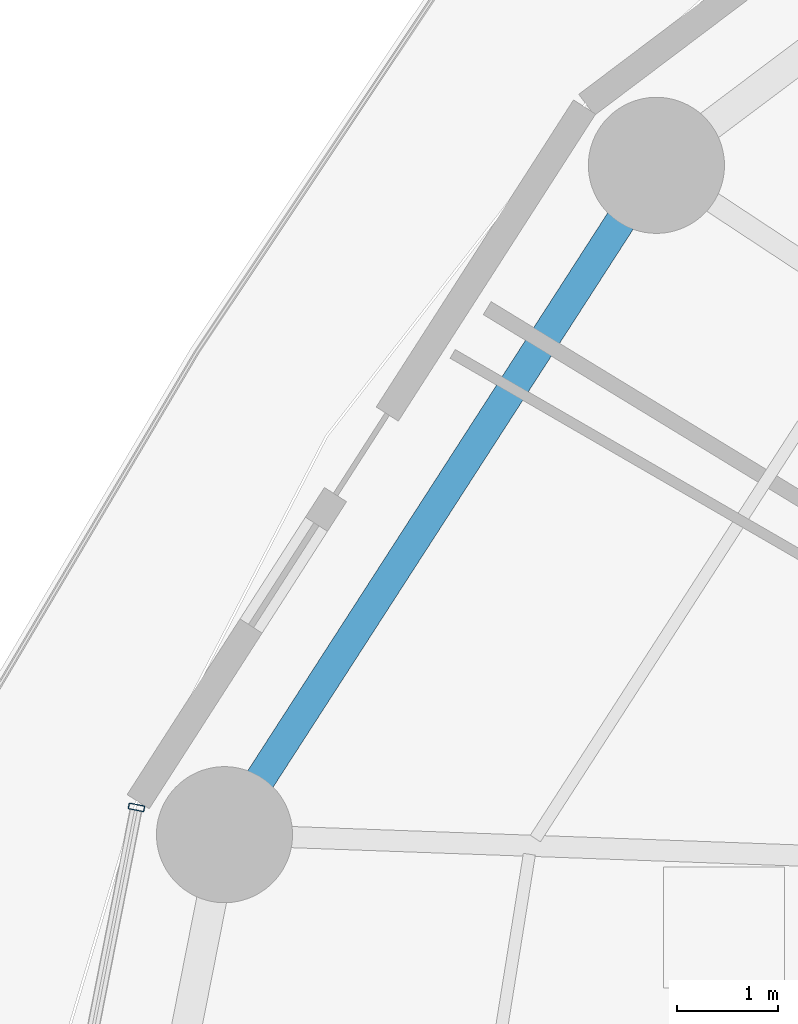
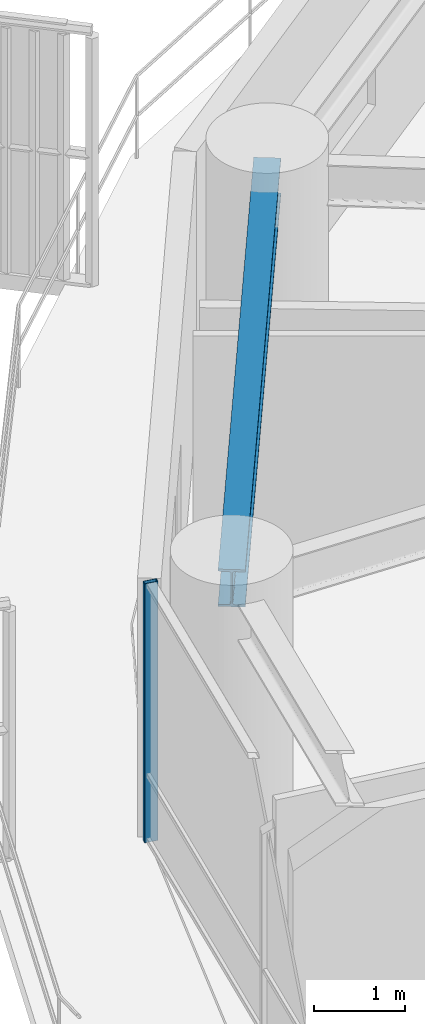
# One storey, part 17 of 35: 1 beam, 1 member, 1 element without a shape of its own.
"""IFC4 building model written with IfcOpenShell, lengths in metres."""

from ifc_helpers import new_model, si_unit, direction, frame, origin, origin_2d, place, context, subcontext, project, spatial, hollow_rectangle, i_section, extrude, material, layer, layer_set, material_profile, profile_set, type_object, element, aggregate, save


model = new_model("IFC4")

# Units and contexts
model_context = context("Model", 3, precision=1e-05, world=origin(), true_north=direction((0.0, 1.0)))
body_context = subcontext(model_context, "Body", "Model", "MODEL_VIEW")
ifc_project = project(units=[si_unit("LENGTHUNIT", "METRE"), si_unit("AREAUNIT", "SQUARE_METRE"), si_unit("VOLUMEUNIT", "CUBIC_METRE"), si_unit("PLANEANGLEUNIT", "RADIAN"), si_unit("MASSUNIT", "GRAM", prefix="KILO")], contexts=[model_context])

# Site, building, storey
site_placement = place(None, origin())
site = spatial("IfcSite", under=ifc_project, at=site_placement, CompositionType="ELEMENT")
building_placement = place(site_placement, origin())
building = spatial("IfcBuilding", under=site, at=building_placement, Name="Kelanora Arch Commons", CompositionType="ELEMENT")
storey_placement = place(building_placement, frame((0.0, 0.0, 87.60009765625)))
storey = spatial("IfcBuildingStorey", under=building, at=storey_placement, Name="L22", CompositionType="ELEMENT", Elevation=87.60009765625)

# Beam
ifc_material_1 = material(Name="Steel S355", Category="steel")
ifc_material_profile_1 = material_profile(ifc_material_1, i_section(OverallWidth=0.300048828125, OverallDepth=0.5, WebThickness=0.014404296875, FlangeThickness=0.028076171875, FilletRadius=0.027099609375, at=origin_2d()), Name="HEB500")
ifc_profile_set_1 = profile_set([ifc_material_profile_1], Name="Steel S355")
beam_type = type_object("IfcBeamType", Name="BM-SPN-Z2", PredefinedType="SPANDREL", material=ifc_profile_set_1)
beam_placement = place(storey_placement, frame((55.093994140625, 72.19287109375, 3.239990234375), z_axis=(-0.542221144054, -0.840235818649, 0.0), x_axis=(0.840235818649, -0.542221144054, 0.0)))
element("IfcBeam", 1, at=beam_placement, inside=storey, type_object=beam_type, Name="Perimeter Spandrel Beam BS-14 L22", PredefinedType="SPANDREL", context=body_context, shape_type="SweptSolid", body=[
    extrude(i_section(OverallWidth=0.300048828125, OverallDepth=0.5, WebThickness=0.014404296875, FlangeThickness=0.028076171875, FilletRadius=0.027099609375, at=origin_2d()), origin(), (0.0, 0.0, 1.0), 7.90380859375),
])

# Curtain wall, member
ifc_material_2 = material(Name="Terracotta ceramic-fritted low-E glass and aluminium", Category="masonry")
ifc_layer = layer(ifc_material_2, 0.159912109375)
ifc_layer_set = layer_set([ifc_layer], Name="Terracotta ceramic-fritted low-E glass and aluminium")
curtain_wall_type = type_object("IfcCurtainWallType", Name="CW-SYS-01", PredefinedType="NOTDEFINED", material=ifc_layer_set)
curtain_wall_placement = place(storey_placement, origin())
curtain_wall = element("IfcCurtainWall", 2, at=curtain_wall_placement, inside=storey, type_object=curtain_wall_type, Name="Unitised Curtain Wall L22-B08", PredefinedType="NOTDEFINED")
ifc_material_3 = material(Name="Powder-coated aluminium terracotta", Category="masonry")
ifc_material_profile_2 = material_profile(ifc_material_3, hollow_rectangle(XDim=0.159912109375, YDim=0.06005859375, WallThickness=0.0048828125, InnerFilletRadius=0.0048828125, OuterFilletRadius=0.010009765625, at=origin_2d()), Name="CWM160x60")
ifc_profile_set_2 = profile_set([ifc_material_profile_2], Name="Powder-coated aluminium terracotta")
member_type = type_object("IfcMemberType", Name="CWM-STD", PredefinedType="MULLION", material=ifc_profile_set_2)
member_placement = place(storey_placement, frame((49.935302734375, 65.822265625, 0.0), z_axis=(0.0, 0.0, 1.0), x_axis=(0.981280311646, -0.192584916272, 0.0)))
member = element("IfcMember", 3, at=member_placement, type_object=member_type, Name="CW-01 mullion 1", PredefinedType="MULLION", context=body_context, shape_type="SweptSolid", body=[
    extrude(hollow_rectangle(XDim=0.159912109375, YDim=0.06005859375, WallThickness=0.0048828125, InnerFilletRadius=0.0048828125, OuterFilletRadius=0.010009765625, at=origin_2d()), origin(), (0.0, 0.0, 1.0), 3.474853515625),
])
aggregate(curtain_wall, [member])

save(model, "model.ifc")
